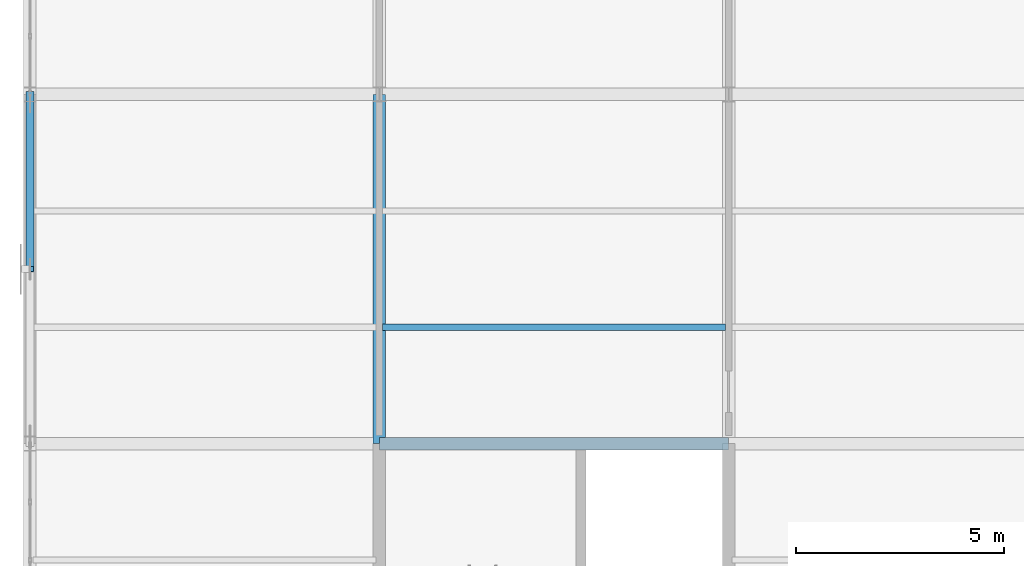
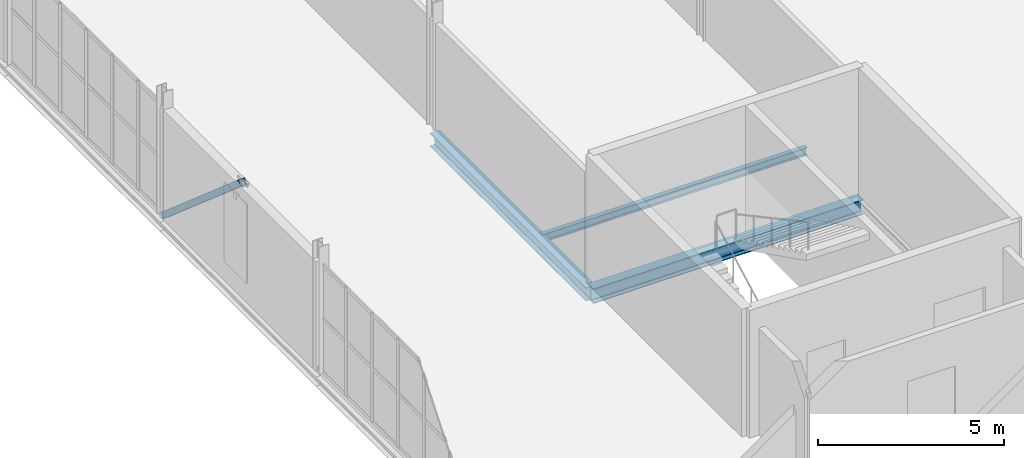
# One storey, part 76 of 163: 3 beams, 1 member.
"""IFC4 building model written with IfcOpenShell, lengths in metres."""

from ifc_helpers import new_model, si_unit, direction, frame, origin, origin_2d, place, context, subcontext, project, spatial, hollow_rectangle, i_section, extrude, material, material_profile, profile_set, type_object, element, save


model = new_model("IFC4")

# Units and contexts
model_context = context("Model", 3, precision=1e-05, world=origin(), true_north=direction((0.0, 1.0)))
body_context = subcontext(model_context, "Body", "Model", "MODEL_VIEW")
ifc_project = project(units=[si_unit("LENGTHUNIT", "METRE"), si_unit("AREAUNIT", "SQUARE_METRE"), si_unit("VOLUMEUNIT", "CUBIC_METRE"), si_unit("PLANEANGLEUNIT", "RADIAN"), si_unit("MASSUNIT", "GRAM", prefix="KILO")], contexts=[model_context])

# Site, building, storey
site_placement = place(None, origin())
site = spatial("IfcSite", under=ifc_project, at=site_placement, CompositionType="ELEMENT")
building_placement = place(site_placement, origin())
building = spatial("IfcBuilding", under=site, at=building_placement, Name="Qalvenar Corner Mobility Hub", CompositionType="ELEMENT")
storey_placement = place(building_placement, frame((0.0, 0.0, 4.800048828125)))
storey = spatial("IfcBuildingStorey", under=building, at=storey_placement, Name="L01", CompositionType="ELEMENT", Elevation=4.800048828125)

# Beams
ifc_material = material(Name="Steel S355", Category="steel")
ifc_material_profile_1 = material_profile(ifc_material, i_section(OverallWidth=0.300048828125, OverallDepth=0.43994140625, WebThickness=0.011474609375, FlangeThickness=0.02099609375, FilletRadius=0.027099609375, at=origin_2d()), Name="HEA450")
ifc_profile_set_1 = profile_set([ifc_material_profile_1], Name="Steel S355")
beam_type_1 = type_object("IfcBeamType", Name="BM-HEA450", PredefinedType="BEAM", material=ifc_profile_set_1)
beam_1_placement = place(storey_placement, frame((8.39990234375, 67.199951171875, -0.400146484375), z_axis=(0.0, 1.0, 0.0), x_axis=(-1.0, 0.0, 0.0)))
element("IfcBeam", 1, at=beam_1_placement, inside=storey, type_object=beam_type_1, Name="Primary Steel Girder GY-1189", PredefinedType="BEAM", context=body_context, shape_type="SweptSolid", body=[
    extrude(i_section(OverallWidth=0.300048828125, OverallDepth=0.43994140625, WebThickness=0.011474609375, FlangeThickness=0.02099609375, FilletRadius=0.027099609375, at=origin_2d()), origin(), (0.0, 0.0, 1.0), 8.400146484375),
])
ifc_material_profile_2 = material_profile(ifc_material, i_section(OverallWidth=0.300048828125, OverallDepth=0.489990234375, WebThickness=0.011962890625, FlangeThickness=0.02294921875, FilletRadius=0.027099609375, at=origin_2d()), Name="HEA500")
ifc_profile_set_2 = profile_set([ifc_material_profile_2], Name="Steel S355")
beam_type_2 = type_object("IfcBeamType", Name="BM-HEA500", PredefinedType="BEAM", material=ifc_profile_set_2)
beam_2_placement = place(storey_placement, frame((8.39990234375, 67.199951171875, -0.425048828125), z_axis=(1.0, 0.0, 0.0), x_axis=(0.0, 1.0, 0.0)))
element("IfcBeam", 2, at=beam_2_placement, inside=storey, type_object=beam_type_2, Name="Primary Steel Girder GX-1165", PredefinedType="BEAM", context=body_context, shape_type="SweptSolid", body=[
    extrude(i_section(OverallWidth=0.300048828125, OverallDepth=0.489990234375, WebThickness=0.011962890625, FlangeThickness=0.02294921875, FilletRadius=0.027099609375, at=origin_2d()), origin(), (0.0, 0.0, 1.0), 8.400146484375),
])
ifc_material_profile_3 = material_profile(ifc_material, i_section(OverallWidth=0.14599609375, OverallDepth=0.258056640625, WebThickness=0.006103515625, FlangeThickness=0.009033203125, FilletRadius=0.011962890625, at=origin_2d()), Name="W250x32.7")
ifc_profile_set_3 = profile_set([ifc_material_profile_3], Name="Steel S355")
beam_type_3 = type_object("IfcBeamType", Name="BM-JST250", PredefinedType="JOIST", material=ifc_profile_set_3)
beam_3_placement = place(storey_placement, frame((8.47802734375, 70.0, -0.30908203125), z_axis=(1.0, 0.0, 0.0), x_axis=(0.0, 1.0, 0.0)))
element("IfcBeam", 3, at=beam_3_placement, inside=storey, type_object=beam_type_3, Name="Composite Floor Joist J-1226", PredefinedType="JOIST", context=body_context, shape_type="SweptSolid", body=[
    extrude(i_section(OverallWidth=0.14599609375, OverallDepth=0.258056640625, WebThickness=0.006103515625, FlangeThickness=0.009033203125, FilletRadius=0.011962890625, at=origin_2d()), origin(), (0.0, 0.0, 1.0), 8.243896484375),
])

# Member
ifc_material_profile_4 = material_profile(ifc_material, hollow_rectangle(XDim=0.199951171875, YDim=0.199951171875, WallThickness=0.008056640625, InnerFilletRadius=0.008056640625, OuterFilletRadius=0.01611328125, at=origin_2d()), Name="SHS200x200x8")
ifc_profile_set_4 = profile_set([ifc_material_profile_4], Name="Steel S355")
member_type = type_object("IfcMemberType", Name="BR-RHS200", PredefinedType="BRACE", material=ifc_profile_set_4)
member_placement = place(storey_placement, frame((0.0, 75.60009765625, 0.02001953125), z_axis=(0.0, -0.757497805166, 0.652837709672), x_axis=(1.0, 0.0, 0.0)))
element("IfcMember", 4, at=member_placement, inside=storey, type_object=member_type, Name="Chevron Lateral Brace BR-050", PredefinedType="BRACE", context=body_context, shape_type="SweptSolid", body=[
    extrude(hollow_rectangle(XDim=0.199951171875, YDim=0.199951171875, WallThickness=0.008056640625, InnerFilletRadius=0.008056640625, OuterFilletRadius=0.01611328125, at=origin_2d()), origin(), (0.0, 0.0, 1.0), 5.544921875),
])

save(model, "model.ifc")
